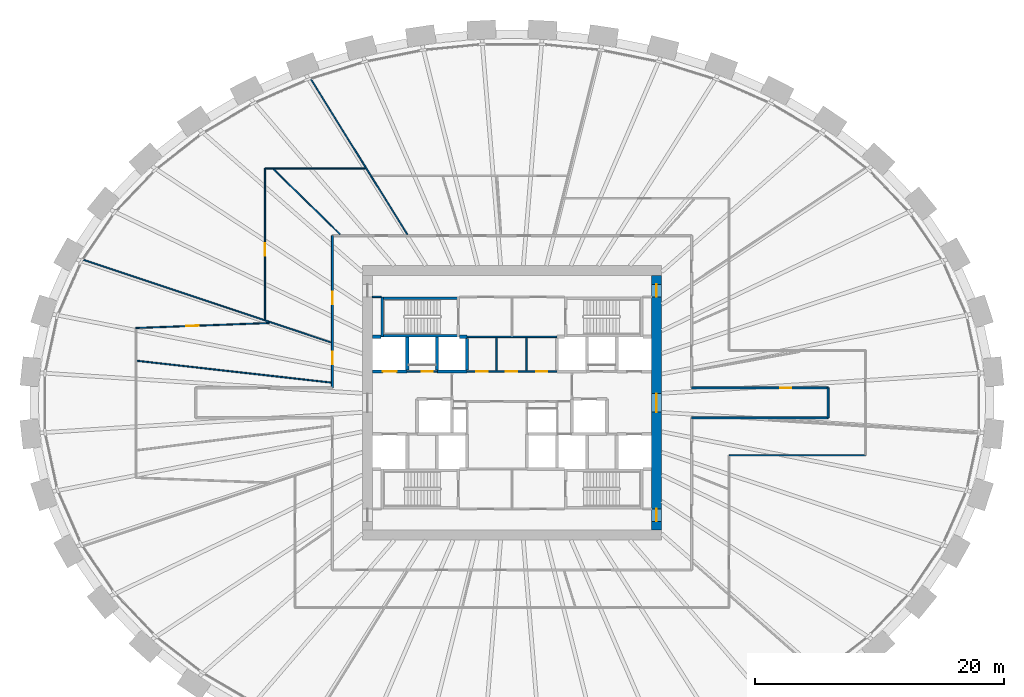
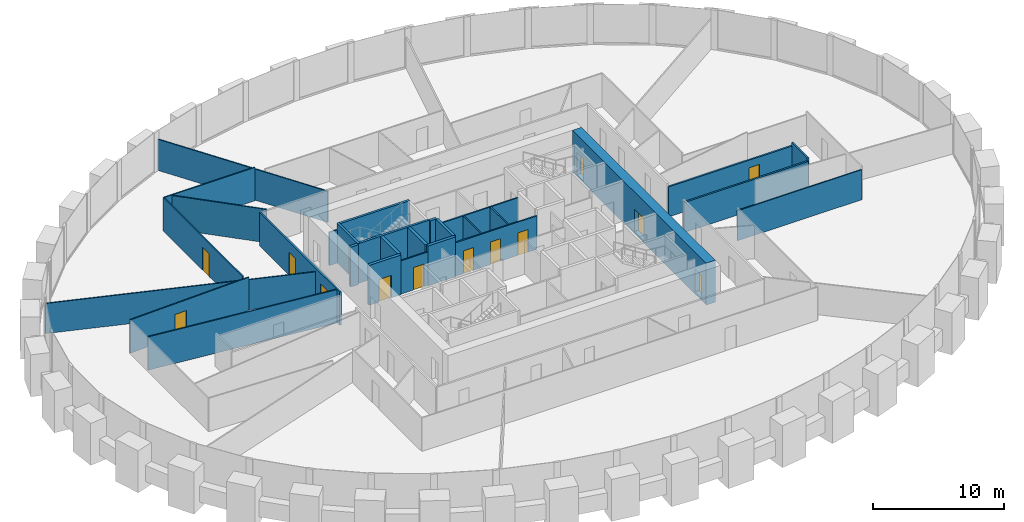
# One storey, part 8 of 11: 29 walls, 13 doors, 13 openings.
"""IFC4 building model written with IfcOpenShell, lengths in metres."""

from ifc_helpers import new_model, si_unit, direction, frame, frame_2d, origin, place, context, subcontext, project, spatial, rectangle, extrude, source, transform, mapped, material, layer, layer_set, type_object, element, fill, save


model = new_model("IFC4")

# Units and contexts
model_context = context("Model", 3, precision=1e-05, world=origin(), true_north=direction((0.0, 1.0)))
body_context = subcontext(model_context, "Body", "Model", "MODEL_VIEW")
ifc_project = project(units=[si_unit("LENGTHUNIT", "METRE"), si_unit("AREAUNIT", "SQUARE_METRE"), si_unit("VOLUMEUNIT", "CUBIC_METRE"), si_unit("PLANEANGLEUNIT", "RADIAN"), si_unit("MASSUNIT", "GRAM", prefix="KILO")], contexts=[model_context])

# Site, building, storey
site_placement = place(None, origin())
site = spatial("IfcSite", under=ifc_project, at=site_placement, CompositionType="ELEMENT")
building_placement = place(site_placement, origin())
building = spatial("IfcBuilding", under=site, at=building_placement, Name="Embergate Tower", CompositionType="ELEMENT")
storey_placement = place(building_placement, frame((0.0, 0.0, 139.800048828125)))
storey = spatial("IfcBuildingStorey", under=building, at=storey_placement, Name="L30", CompositionType="ELEMENT", Elevation=139.800048828125)

# Wall, openings, doors
ifc_material_1 = material(Name="Concrete C70", Category="concrete")
ifc_layer_1 = layer(ifc_material_1, 0.800048828125)
ifc_layer_set_1 = layer_set([ifc_layer_1], Name="Concrete C70")
wall_type_1 = type_object("IfcWallType", Name="Core outer wall C70 800", PredefinedType="SHEAR", material=ifc_layer_set_1)
shared_shape_1 = source(origin(), body_context, "Body", "SweptSolid", [
    extrude(rectangle(XDim=20.39990234375, YDim=0.800048828125, at=frame_2d((10.199951171875, 0.0))), origin(), (0.0, 0.0, 1.0), 3.89990234375),
])
wall_1_placement = place(storey_placement, frame((11.60009765625, -10.199951171875, -0.199951171875), z_axis=(0.0, 0.0, 1.0), x_axis=(0.0, 1.0, 0.0)))
wall_1 = element("IfcWall", 1, at=wall_1_placement, inside=storey, type_object=wall_type_1, Name="CW-L30-E", PredefinedType="SHEAR", context=body_context, shape_type="MappedRepresentation", body=[
    mapped(shared_shape_1, transform((0.0, 0.0, 0.0))),
])
shared_shape_2 = source(origin(), body_context, "Body", "SweptSolid", [
    extrude(rectangle(XDim=1.0, YDim=2.10009765625, at=frame_2d((0.5, 1.050048828125))), frame((0.0, 0.409912109375, 0.0), z_axis=(0.0, -1.0, 0.0), x_axis=(1.0, 0.0, 0.0)), (0.0, 0.0, 1.0), 0.820068359375),
])
opening_1_placement = place(wall_1_placement, frame((18.699951171875, 0.0, 0.199951171875)))
opening_1 = element("IfcOpeningElement", 2, at=opening_1_placement, cuts=wall_1, Name="Opening IF-1d", PredefinedType="OPENING", context=body_context, shape_type="MappedRepresentation", body=[
    mapped(shared_shape_2, transform((0.0, 0.0, 0.0))),
])
opening_2_placement = place(wall_1_placement, frame((0.699951171875, 0.0, 0.199951171875)))
opening_2 = element("IfcOpeningElement", 3, at=opening_2_placement, cuts=wall_1, Name="Opening IF-1d", PredefinedType="OPENING", context=body_context, shape_type="MappedRepresentation", body=[
    mapped(shared_shape_2, transform((0.0, 0.0, 0.0))),
])
shared_shape_3 = source(origin(), body_context, "Body", "SweptSolid", [
    extrude(rectangle(XDim=1.5, YDim=2.10009765625, at=frame_2d((0.75, 1.050048828125))), frame((0.0, 0.409912109375, 0.0), z_axis=(0.0, -1.0, 0.0), x_axis=(1.0, 0.0, 0.0)), (0.0, 0.0, 1.0), 0.820068359375),
])
opening_3_placement = place(wall_1_placement, frame((9.449951171875, 0.0, 0.199951171875)))
opening_3 = element("IfcOpeningElement", 4, at=opening_3_placement, cuts=wall_1, Name="Opening IF-3", PredefinedType="OPENING", context=body_context, shape_type="MappedRepresentation", body=[
    mapped(shared_shape_3, transform((0.0, 0.0, 0.0))),
])
ifc_material_2 = material(Name="Lobby fire door pair 1500")
door_type_1 = type_object("IfcDoorType", Name="Lobby fire door pair 1500", OperationType="DOUBLE_DOOR_SINGLE_SWING", PredefinedType="DOOR", material=ifc_material_2)
shared_shape_4 = source(origin(), body_context, "Body", "SweptSolid", [
    extrude(rectangle(XDim=1.5, YDim=2.10009765625, at=frame_2d((0.75, 1.050048828125))), frame((0.0, 0.02490234375, 0.0), z_axis=(0.0, -1.0, 0.0), x_axis=(1.0, 0.0, 0.0)), (0.0, 0.0, 1.0), 0.050048828125),
])
door_1_placement = place(opening_3_placement, origin())
door_1 = element("IfcDoor", 5, at=door_1_placement, inside=storey, type_object=door_type_1, Name="IF-3 door", OperationType="DOUBLE_DOOR_SINGLE_SWING", OverallHeight=2.10009765625, OverallWidth=1.5, PredefinedType="DOOR", context=body_context, shape_type="MappedRepresentation", body=[
    mapped(shared_shape_4, transform((0.0, 0.0, 0.0))),
])
fill(opening_3, door_1)
ifc_material_3 = material(Name="Escape fire door 1000")
door_type_2 = type_object("IfcDoorType", Name="Escape fire door 1000", OperationType="SINGLE_SWING_LEFT", PredefinedType="DOOR", material=ifc_material_3)
shared_shape_5 = source(origin(), body_context, "Body", "SweptSolid", [
    extrude(rectangle(XDim=1.0, YDim=2.10009765625, at=frame_2d((0.5, 1.050048828125))), frame((0.0, 0.02490234375, 0.0), z_axis=(0.0, -1.0, 0.0), x_axis=(1.0, 0.0, 0.0)), (0.0, 0.0, 1.0), 0.050048828125),
])
door_2_placement = place(opening_1_placement, origin())
door_2 = element("IfcDoor", 6, at=door_2_placement, inside=storey, type_object=door_type_2, Name="IF-1 door", OperationType="SINGLE_SWING_RIGHT", OverallHeight=2.10009765625, OverallWidth=1.0, PredefinedType="DOOR", context=body_context, shape_type="MappedRepresentation", body=[
    mapped(shared_shape_5, transform((0.0, 0.0, 0.0))),
])
fill(opening_1, door_2)
door_3_placement = place(opening_2_placement, origin())
door_3 = element("IfcDoor", 7, at=door_3_placement, inside=storey, type_object=door_type_2, Name="IF-1 door", OperationType="SINGLE_SWING_RIGHT", OverallHeight=2.10009765625, OverallWidth=1.0, PredefinedType="DOOR", context=body_context, shape_type="MappedRepresentation", body=[
    mapped(shared_shape_5, transform((0.0, 0.0, 0.0))),
])
fill(opening_2, door_3)

# Walls
ifc_material_4 = material(Name="Concrete C50", Category="concrete")
ifc_layer_2 = layer(ifc_material_4, 0.25)
ifc_layer_set_2 = layer_set([ifc_layer_2], Name="Concrete C50")
wall_type_2 = type_object("IfcWallType", Name="Hoistway wall reinforced concrete 250", PredefinedType="SHEAR", material=ifc_layer_set_2)
shared_shape_6 = source(origin(), body_context, "Body", "SweptSolid", [
    extrude(rectangle(XDim=2.675048828125, YDim=0.25, at=frame_2d((1.33740234375, 0.0))), origin(), (0.0, 0.0, 1.0), 3.699951171875),
])
for number, where, z_axis, x_axis, name in (
    (8, (-8.39990234375, 2.625, 0.0), (0.0, 0.0, 1.0), (0.0, 1.0, 0.0), "HW-1 wall"),
    (9, (-6.0, 2.625, 0.0), (0.0, 0.0, 1.0), (0.0, 1.0, 0.0), "HW-1 wall"),
):
    element("IfcWall", number, at=place(storey_placement, frame(where, z_axis=z_axis, x_axis=x_axis)), inside=storey, type_object=wall_type_2, Name=name, PredefinedType="SHEAR", context=body_context, shape_type="MappedRepresentation", body=[
        mapped(shared_shape_6, transform((0.0, 0.0, 0.0))),
    ])
ifc_layer_3 = layer(ifc_material_4, 0.199951171875)
ifc_layer_set_3 = layer_set([ifc_layer_3], Name="Concrete C50")
wall_type_3 = type_object("IfcWallType", Name="Stair enclosure wall reinforced concrete 250", PredefinedType="SHEAR", material=ifc_layer_set_3)
shared_shape_7 = source(origin(), body_context, "Body", "SweptSolid", [
    extrude(rectangle(XDim=6.300048828125, YDim=0.199951171875, at=frame_2d((3.14990234375, 0.0))), origin(), (0.0, 0.0, 1.0), 3.699951171875),
])
for number, where, z_axis, x_axis, name in (
    (10, (-4.199951171875, 5.39990234375, 0.0), (0.0, 0.0, 1.0), (-1.0, 0.0, 0.0), "SE-1 wall"),
    (11, (-4.199951171875, 8.39990234375, 0.0), (0.0, 0.0, 1.0), (-1.0, 0.0, 0.0), "SE-1 wall"),
):
    element("IfcWall", number, at=place(storey_placement, frame(where, z_axis=z_axis, x_axis=x_axis)), inside=storey, type_object=wall_type_3, Name=name, PredefinedType="SHEAR", context=body_context, shape_type="MappedRepresentation", body=[
        mapped(shared_shape_7, transform((0.0, 0.0, 0.0))),
    ])
shared_shape_8 = source(origin(), body_context, "Body", "SweptSolid", [
    extrude(rectangle(XDim=2.550048828125, YDim=0.25, at=frame_2d((1.27490234375, 0.0))), origin(), (0.0, 0.0, 1.0), 3.699951171875),
])
wall_2_placement = place(storey_placement, frame((-3.60009765625, 2.625, 0.0), z_axis=(0.0, 0.0, 1.0), x_axis=(0.0, 1.0, 0.0)))
element("IfcWall", 12, at=wall_2_placement, inside=storey, type_object=wall_type_2, Name="HW-1 wall", PredefinedType="SHEAR", context=body_context, shape_type="MappedRepresentation", body=[
    mapped(shared_shape_8, transform((0.0, 0.0, 0.0))),
])
shared_shape_9 = source(origin(), body_context, "Body", "SweptSolid", [
    extrude(rectangle(XDim=2.39990234375, YDim=0.25, at=frame_2d((1.199951171875, 0.0))), origin(), (0.0, 0.0, 1.0), 3.699951171875),
])
wall_3_placement = place(storey_placement, frame((-6.0, 2.5, 0.0), z_axis=(0.0, 0.0, 1.0), x_axis=(1.0, 0.0, 0.0)))
element("IfcWall", 13, at=wall_3_placement, inside=storey, type_object=wall_type_2, Name="HW-1 wall", PredefinedType="SHEAR", context=body_context, shape_type="MappedRepresentation", body=[
    mapped(shared_shape_9, transform((0.0, 0.0, 0.0))),
])
ifc_material_5 = material(Name="Core partition blockwork 120")
ifc_layer_4 = layer(ifc_material_5, 0.1201171875)
ifc_layer_set_4 = layer_set([ifc_layer_4], Name="Core partition blockwork 120")
wall_type_4 = type_object("IfcWallType", Name="Core partition blockwork 120", PredefinedType="PARTITIONING", material=ifc_layer_set_4)
shared_shape_10 = source(origin(), body_context, "Body", "SweptSolid", [
    extrude(rectangle(XDim=2.679931640625, YDim=0.1201171875, at=frame_2d((1.33984375, 0.0))), origin(), (0.0, 0.0, 1.0), 3.099853515625),
])
for number, where, z_axis, x_axis, name in (
    (14, (-1.22412109375, 2.56005859375, 0.0), (0.0, 0.0, 1.0), (0.0, 1.0, 0.0), "IP-3 wall"),
    (15, (1.152099609375, 2.56005859375, 0.0), (0.0, 0.0, 1.0), (0.0, 1.0, 0.0), "IP-3 wall"),
):
    element("IfcWall", number, at=place(storey_placement, frame(where, z_axis=z_axis, x_axis=x_axis)), inside=storey, type_object=wall_type_4, Name=name, PredefinedType="PARTITIONING", context=body_context, shape_type="MappedRepresentation", body=[
        mapped(shared_shape_10, transform((0.0, 0.0, 0.0))),
    ])

# Wall, opening, door
shared_shape_11 = source(origin(), body_context, "Body", "SweptSolid", [
    extrude(rectangle(XDim=2.800048828125, YDim=0.25, at=frame_2d((1.39990234375, 0.0))), origin(), (0.0, 0.0, 1.0), 3.699951171875),
])
wall_4_placement = place(storey_placement, frame((-11.199951171875, 2.5, 0.0), z_axis=(0.0, 0.0, 1.0), x_axis=(1.0, 0.0, 0.0)))
wall_4 = element("IfcWall", 16, at=wall_4_placement, inside=storey, type_object=wall_type_2, Name="HW-1 wall", PredefinedType="SHEAR", context=body_context, shape_type="MappedRepresentation", body=[
    mapped(shared_shape_11, transform((0.0, 0.0, 0.0))),
])
shared_shape_12 = source(origin(), body_context, "Body", "SweptSolid", [
    extrude(rectangle(XDim=1.10009765625, YDim=2.10009765625, at=frame_2d((0.550048828125, 1.050048828125))), frame((0.0, 0.135009765625, 0.0), z_axis=(0.0, -1.0, 0.0), x_axis=(1.0, 0.0, 0.0)), (0.0, 0.0, 1.0), 0.27001953125),
])
opening_4_placement = place(wall_4_placement, frame((0.85009765625, 0.0, 0.0)))
opening_4 = element("IfcOpeningElement", 17, at=opening_4_placement, cuts=wall_4, Name="Opening LD", PredefinedType="OPENING", context=body_context, shape_type="MappedRepresentation", body=[
    mapped(shared_shape_12, transform((0.0, 0.0, 0.0))),
])
ifc_material_6 = material(Name="Landing door sliding 1100")
door_type_3 = type_object("IfcDoorType", Name="Landing door sliding 1100", OperationType="SLIDING_TO_LEFT", PredefinedType="DOOR", material=ifc_material_6)
shared_shape_13 = source(origin(), body_context, "Body", "SweptSolid", [
    extrude(rectangle(XDim=1.10009765625, YDim=2.10009765625, at=frame_2d((0.550048828125, 1.050048828125))), frame((0.0, 0.02490234375, 0.0), z_axis=(0.0, -1.0, 0.0), x_axis=(1.0, 0.0, 0.0)), (0.0, 0.0, 1.0), 0.050048828125),
])
door_4_placement = place(opening_4_placement, origin())
door_4 = element("IfcDoor", 18, at=door_4_placement, inside=storey, type_object=door_type_3, Name="LD door", OperationType="SLIDING_TO_LEFT", OverallHeight=2.10009765625, OverallWidth=1.10009765625, PredefinedType="DOOR", context=body_context, shape_type="MappedRepresentation", body=[
    mapped(shared_shape_13, transform((0.0, 0.0, 0.0))),
])
fill(opening_4, door_4)

# Walls
shared_shape_14 = source(origin(), body_context, "Body", "SweptSolid", [
    extrude(rectangle(XDim=0.599853515625, YDim=0.25, at=frame_2d((0.2998046875, 0.0))), origin(), (0.0, 0.0, 1.0), 3.699951171875),
])
wall_5_placement = place(storey_placement, frame((-3.60009765625, 5.300048828125, 0.0), z_axis=(0.0, 0.0, 1.0), x_axis=(-1.0, 0.0, 0.0)))
element("IfcWall", 19, at=wall_5_placement, inside=storey, type_object=wall_type_2, Name="HW-1 wall", PredefinedType="SHEAR", context=body_context, shape_type="MappedRepresentation", body=[
    mapped(shared_shape_14, transform((0.0, 0.0, 0.0))),
])
shared_shape_15 = source(origin(), body_context, "Body", "SweptSolid", [
    extrude(rectangle(XDim=3.196044921875, YDim=0.199951171875, at=frame_2d((1.59814453125, 0.0))), origin(), (0.0, 0.0, 1.0), 3.699951171875),
])
wall_6_placement = place(storey_placement, frame((-10.39990234375, 8.498046875, 0.0), z_axis=(0.0, 0.0, 1.0), x_axis=(0.0, -1.0, 0.0)))
element("IfcWall", 20, at=wall_6_placement, inside=storey, type_object=wall_type_3, Name="SE-1 wall", PredefinedType="SHEAR", context=body_context, shape_type="MappedRepresentation", body=[
    mapped(shared_shape_15, transform((0.0, 0.0, 0.0))),
])
shared_shape_16 = source(origin(), body_context, "Body", "SweptSolid", [
    extrude(rectangle(XDim=0.697998046875, YDim=0.25, at=frame_2d((0.34912109375, 0.0))), origin(), (0.0, 0.0, 1.0), 3.699951171875),
])
wall_7_placement = place(storey_placement, frame((-10.501953125, 5.300048828125, 0.0), z_axis=(0.0, 0.0, 1.0), x_axis=(-1.0, 0.0, 0.0)))
element("IfcWall", 21, at=wall_7_placement, inside=storey, type_object=wall_type_2, Name="HW-1 wall", PredefinedType="SHEAR", context=body_context, shape_type="MappedRepresentation", body=[
    mapped(shared_shape_16, transform((0.0, 0.0, 0.0))),
])

# Wall, openings, doors
ifc_material_7 = material(Name="Corridor wall dry-lined 150")
ifc_layer_5 = layer(ifc_material_7, 0.14990234375)
ifc_layer_set_5 = layer_set([ifc_layer_5], Name="Corridor wall dry-lined 150")
wall_type_5 = type_object("IfcWallType", Name="Corridor wall dry-lined 150", PredefinedType="PARTITIONING", material=ifc_layer_set_5)
shared_shape_17 = source(origin(), body_context, "Body", "SweptSolid", [
    extrude(rectangle(XDim=12.199951171875, YDim=0.14990234375, at=frame_2d((6.10009765625, 0.0))), origin(), (0.0, 0.0, 1.0), 3.099853515625),
])
wall_8_placement = place(storey_placement, frame((-14.39990234375, 1.199951171875, 0.0), z_axis=(0.0, 0.0, 1.0), x_axis=(0.0, 1.0, 0.0)))
wall_8 = element("IfcWall", 22, at=wall_8_placement, inside=storey, type_object=wall_type_5, Name="IP-2 wall", PredefinedType="PARTITIONING", context=body_context, shape_type="MappedRepresentation", body=[
    mapped(shared_shape_17, transform((0.0, 0.0, 0.0))),
])
shared_shape_18 = source(origin(), body_context, "Body", "SweptSolid", [
    extrude(rectangle(XDim=1.0, YDim=2.10009765625, at=frame_2d((0.5, 1.050048828125))), frame((0.0, 0.0849609375, 0.0), z_axis=(0.0, -1.0, 0.0), x_axis=(1.0, 0.0, 0.0)), (0.0, 0.0, 1.0), 0.169921875),
])
opening_5_placement = place(wall_8_placement, frame((6.7060546875, 0.0, 0.0)))
opening_5 = element("IfcOpeningElement", 23, at=opening_5_placement, cuts=wall_8, Name="Opening ID-2", PredefinedType="OPENING", context=body_context, shape_type="MappedRepresentation", body=[
    mapped(shared_shape_18, transform((0.0, 0.0, 0.0))),
])
opening_6_placement = place(wall_8_placement, frame((1.89501953125, 0.0, 0.0)))
opening_6 = element("IfcOpeningElement", 24, at=opening_6_placement, cuts=wall_8, Name="Opening ID-2", PredefinedType="OPENING", context=body_context, shape_type="MappedRepresentation", body=[
    mapped(shared_shape_18, transform((0.0, 0.0, 0.0))),
])
ifc_material_8 = material(Name="Interior door 1000")
door_type_4 = type_object("IfcDoorType", Name="Interior door 1000", OperationType="SINGLE_SWING_LEFT", PredefinedType="DOOR", material=ifc_material_8)
door_5_placement = place(opening_5_placement, origin())
door_5 = element("IfcDoor", 25, at=door_5_placement, inside=storey, type_object=door_type_4, Name="ID-2 door", OperationType="SINGLE_SWING_LEFT", OverallHeight=2.10009765625, OverallWidth=1.0, PredefinedType="DOOR", context=body_context, shape_type="MappedRepresentation", body=[
    mapped(shared_shape_5, transform((0.0, 0.0, 0.0))),
])
fill(opening_5, door_5)
door_6_placement = place(opening_6_placement, origin())
door_6 = element("IfcDoor", 26, at=door_6_placement, inside=storey, type_object=door_type_4, Name="ID-2 door", OperationType="SINGLE_SWING_RIGHT", OverallHeight=2.10009765625, OverallWidth=1.0, PredefinedType="DOOR", context=body_context, shape_type="MappedRepresentation", body=[
    mapped(shared_shape_5, transform((0.0, 0.0, 0.0))),
])
fill(opening_6, door_6)

# Wall
shared_shape_19 = source(origin(), body_context, "Body", "SweptSolid", [
    extrude(rectangle(XDim=10.9501953125, YDim=0.14990234375, at=frame_2d((5.47509765625, 0.0))), origin(), (0.0, 0.0, 1.0), 2.800048828125),
])
wall_9_placement = place(storey_placement, frame((14.39990234375, -1.199951171875, 0.0), z_axis=(0.0, 0.0, 1.0), x_axis=(1.0, 0.0, 0.0)))
element("IfcWall", 27, at=wall_9_placement, inside=storey, type_object=wall_type_5, Name="IP-2 wall", PredefinedType="PARTITIONING", context=body_context, shape_type="MappedRepresentation", body=[
    mapped(shared_shape_19, transform((0.0, 0.0, 0.0))),
])

# Wall, opening, door
ifc_material_9 = material(Name="Corridor wall dry-lined 150 wet")
ifc_layer_6 = layer(ifc_material_9, 0.14990234375)
ifc_layer_set_6 = layer_set([ifc_layer_6], Name="Corridor wall dry-lined 150 wet")
wall_type_6 = type_object("IfcWallType", Name="Corridor wall dry-lined 150 wet", PredefinedType="PLUMBINGWALL", material=ifc_layer_set_6)
wall_10_placement = place(storey_placement, frame((25.35009765625, 1.199951171875, 0.0), z_axis=(0.0, 0.0, 1.0), x_axis=(-1.0, 0.0, 0.0)))
wall_10 = element("IfcWall", 28, at=wall_10_placement, inside=storey, type_object=wall_type_6, Name="IP-2 wall", PredefinedType="PLUMBINGWALL", context=body_context, shape_type="MappedRepresentation", body=[
    mapped(shared_shape_19, transform((0.0, 0.0, 0.0))),
])
shared_shape_20 = source(origin(), body_context, "Body", "SweptSolid", [
    extrude(rectangle(XDim=0.89990234375, YDim=2.10009765625, at=frame_2d((0.449951171875, 1.050048828125))), frame((0.0, 0.0849609375, 0.0), z_axis=(0.0, -1.0, 0.0), x_axis=(1.0, 0.0, 0.0)), (0.0, 0.0, 1.0), 0.169921875),
])
opening_7_placement = place(wall_10_placement, frame((2.946044921875, 0.0, 0.0)))
opening_7 = element("IfcOpeningElement", 29, at=opening_7_placement, cuts=wall_10, Name="Opening IF-1c", PredefinedType="OPENING", context=body_context, shape_type="MappedRepresentation", body=[
    mapped(shared_shape_20, transform((0.0, 0.0, 0.0))),
])
ifc_material_10 = material(Name="Escape fire door 900")
door_type_5 = type_object("IfcDoorType", Name="Escape fire door 900", OperationType="SINGLE_SWING_LEFT", PredefinedType="DOOR", material=ifc_material_10)
shared_shape_21 = source(origin(), body_context, "Body", "SweptSolid", [
    extrude(rectangle(XDim=0.89990234375, YDim=2.10009765625, at=frame_2d((0.449951171875, 1.050048828125))), frame((0.0, 0.02490234375, 0.0), z_axis=(0.0, -1.0, 0.0), x_axis=(1.0, 0.0, 0.0)), (0.0, 0.0, 1.0), 0.050048828125),
])
door_7_placement = place(opening_7_placement, origin())
door_7 = element("IfcDoor", 30, at=door_7_placement, inside=storey, type_object=door_type_5, Name="IF-1 door", OperationType="SINGLE_SWING_RIGHT", OverallHeight=2.10009765625, OverallWidth=0.89990234375, PredefinedType="DOOR", context=body_context, shape_type="MappedRepresentation", body=[
    mapped(shared_shape_21, transform((0.0, 0.0, 0.0))),
])
fill(opening_7, door_7)

# Walls
shared_shape_22 = source(origin(), body_context, "Body", "SweptSolid", [
    extrude(rectangle(XDim=2.39990234375, YDim=0.14990234375, at=frame_2d((1.199951171875, 0.0))), origin(), (0.0, 0.0, 1.0), 3.099853515625),
])
wall_11_placement = place(storey_placement, frame((25.35009765625, -1.199951171875, 0.0), z_axis=(0.0, 0.0, 1.0), x_axis=(0.0, 1.0, 0.0)))
element("IfcWall", 31, at=wall_11_placement, inside=storey, type_object=wall_type_6, Name="IP-2 wall", PredefinedType="PLUMBINGWALL", context=body_context, shape_type="MappedRepresentation", body=[
    mapped(shared_shape_22, transform((0.0, 0.0, 0.0))),
])
ifc_material_11 = material(Name="Partition dry-lined 100")
ifc_layer_7 = layer(ifc_material_11, 0.10009765625)
ifc_layer_set_7 = layer_set([ifc_layer_7], Name="Partition dry-lined 100")
wall_type_7 = type_object("IfcWallType", Name="Partition dry-lined 100", PredefinedType="PARTITIONING", material=ifc_layer_set_7)
shared_shape_23 = source(origin(), body_context, "Body", "SweptSolid", [
    extrude(rectangle(XDim=21.021484375, YDim=0.10009765625, at=frame_2d((10.5107421875, 0.0))), origin(), (0.0, 0.0, 1.0), 2.800048828125),
])
wall_12_placement = place(storey_placement, frame((-34.429931640625, 11.4990234375, 0.0), z_axis=(0.0, 0.0, 1.0), x_axis=(0.948503129664, -0.316767758805, 0.0)))
element("IfcWall", 32, at=wall_12_placement, inside=storey, type_object=wall_type_7, Name="IP-1 wall", PredefinedType="PARTITIONING", context=body_context, shape_type="MappedRepresentation", body=[
    mapped(shared_shape_23, transform((0.0, 0.0, 0.0))),
])
shared_shape_24 = source(origin(), body_context, "Body", "SweptSolid", [
    extrude(rectangle(XDim=14.712158203125, YDim=0.10009765625, at=frame_2d((7.35595703125, 0.0))), origin(), (0.0, 0.0, 1.0), 2.89990234375),
])
wall_13_placement = place(storey_placement, frame((-16.154052734375, 25.9970703125, 0.0), z_axis=(0.0, 0.0, 1.0), x_axis=(0.527801481892, -0.849367762346, 0.0)))
element("IfcWall", 33, at=wall_13_placement, inside=storey, type_object=wall_type_7, Name="IP-1 wall", PredefinedType="PARTITIONING", context=body_context, shape_type="MappedRepresentation", body=[
    mapped(shared_shape_24, transform((0.0, 0.0, 0.0))),
])
shared_shape_25 = source(origin(), body_context, "Body", "SweptSolid", [
    extrude(rectangle(XDim=10.9501953125, YDim=0.10009765625, at=frame_2d((5.47509765625, 0.0))), origin(), (0.0, 0.0, 1.0), 2.800048828125),
])
wall_14_placement = place(storey_placement, frame((28.35009765625, -4.199951171875, 0.0), z_axis=(0.0, 0.0, 1.0), x_axis=(-1.0, 0.0, 0.0)))
element("IfcWall", 34, at=wall_14_placement, inside=storey, type_object=wall_type_7, Name="IP-1 wall", PredefinedType="PARTITIONING", context=body_context, shape_type="MappedRepresentation", body=[
    mapped(shared_shape_25, transform((0.0, 0.0, 0.0))),
])
shared_shape_26 = source(origin(), body_context, "Body", "SweptSolid", [
    extrude(rectangle(XDim=7.43505859375, YDim=0.10009765625, at=frame_2d((3.717529296875, 0.0))), origin(), (0.0, 0.0, 1.0), 3.099853515625),
])
wall_15_placement = place(storey_placement, frame((-13.7880859375, 13.510986328125, 0.0), z_axis=(0.0, 0.0, 1.0), x_axis=(-0.714326421036, 0.699812663654, 0.0)))
element("IfcWall", 35, at=wall_15_placement, inside=storey, type_object=wall_type_7, Name="IP-1 wall", PredefinedType="PARTITIONING", context=body_context, shape_type="MappedRepresentation", body=[
    mapped(shared_shape_26, transform((0.0, 0.0, 0.0))),
])
shared_shape_27 = source(origin(), body_context, "Body", "SweptSolid", [
    extrude(rectangle(XDim=8.028076171875, YDim=0.10009765625, at=frame_2d((4.01416015625, 0.0))), origin(), (0.0, 0.0, 1.0), 3.099853515625),
])
wall_16_placement = place(storey_placement, frame((-11.77197265625, 18.800048828125, 0.0), z_axis=(0.0, 0.0, 1.0), x_axis=(-1.0, 0.0, 0.0)))
element("IfcWall", 36, at=wall_16_placement, inside=storey, type_object=wall_type_7, Name="IP-1 wall", PredefinedType="PARTITIONING", context=body_context, shape_type="MappedRepresentation", body=[
    mapped(shared_shape_27, transform((0.0, 0.0, 0.0))),
])

# Wall, opening, door
shared_shape_28 = source(origin(), body_context, "Body", "SweptSolid", [
    extrude(rectangle(XDim=12.1181640625, YDim=0.10009765625, at=frame_2d((6.05908203125, 0.0))), origin(), (0.0, 0.0, 1.0), 3.099853515625),
])
wall_17_placement = place(storey_placement, frame((-19.800048828125, 6.681884765625, 0.0), z_axis=(0.0, 0.0, 1.0), x_axis=(0.0, 1.0, 0.0)))
wall_17 = element("IfcWall", 37, at=wall_17_placement, inside=storey, type_object=wall_type_7, Name="IP-1 wall", PredefinedType="PARTITIONING", context=body_context, shape_type="MappedRepresentation", body=[
    mapped(shared_shape_28, transform((0.0, 0.0, 0.0))),
])
shared_shape_29 = source(origin(), body_context, "Body", "SweptSolid", [
    extrude(rectangle(XDim=1.0, YDim=2.10009765625, at=frame_2d((0.5, 1.050048828125))), frame((0.0, 0.06005859375, 0.0), z_axis=(0.0, -1.0, 0.0), x_axis=(1.0, 0.0, 0.0)), (0.0, 0.0, 1.0), 0.1201171875),
])
opening_8_placement = place(wall_17_placement, frame((5.100830078125, 0.0, 0.0)))
opening_8 = element("IfcOpeningElement", 38, at=opening_8_placement, cuts=wall_17, Name="Opening ID-2", PredefinedType="OPENING", context=body_context, shape_type="MappedRepresentation", body=[
    mapped(shared_shape_29, transform((0.0, 0.0, 0.0))),
])
door_8_placement = place(opening_8_placement, origin())
door_8 = element("IfcDoor", 39, at=door_8_placement, inside=storey, type_object=door_type_4, Name="ID-2 door", OperationType="SINGLE_SWING_LEFT", OverallHeight=2.10009765625, OverallWidth=1.0, PredefinedType="DOOR", context=body_context, shape_type="MappedRepresentation", body=[
    mapped(shared_shape_5, transform((0.0, 0.0, 0.0))),
])
fill(opening_8, door_8)

# Wall
shared_shape_30 = source(origin(), body_context, "Body", "SweptSolid", [
    extrude(rectangle(XDim=15.710693359375, YDim=0.10009765625, at=frame_2d((7.85546875, 0.0))), origin(), (0.0, 0.0, 1.0), 3.099853515625),
])
wall_18_placement = place(storey_placement, frame((-14.48095703125, 1.6240234375, 0.0), z_axis=(0.0, 0.0, 1.0), x_axis=(-0.993776960065, 0.111388301195, 0.0)))
element("IfcWall", 40, at=wall_18_placement, inside=storey, type_object=wall_type_7, Name="IP-1 wall", PredefinedType="PARTITIONING", context=body_context, shape_type="MappedRepresentation", body=[
    mapped(shared_shape_30, transform((0.0, 0.0, 0.0))),
])

# Wall, opening, door
shared_shape_31 = source(origin(), body_context, "Body", "SweptSolid", [
    extrude(rectangle(XDim=10.682373046875, YDim=0.10009765625, at=frame_2d((5.34130859375, 0.0))), origin(), (0.0, 0.0, 1.0), 3.099853515625),
])
wall_19_placement = place(storey_placement, frame((-30.14990234375, 6.0, 0.0), z_axis=(0.0, 0.0, 1.0), x_axis=(0.999291311197, 0.037641404939, 0.0)))
wall_19 = element("IfcWall", 41, at=wall_19_placement, inside=storey, type_object=wall_type_7, Name="IP-1 wall", PredefinedType="PARTITIONING", context=body_context, shape_type="MappedRepresentation", body=[
    mapped(shared_shape_31, transform((0.0, 0.0, 0.0))),
])
opening_9_placement = place(wall_19_placement, frame((4.036865234375, 0.0, 0.0)))
opening_9 = element("IfcOpeningElement", 42, at=opening_9_placement, cuts=wall_19, Name="Opening ID-2", PredefinedType="OPENING", context=body_context, shape_type="MappedRepresentation", body=[
    mapped(shared_shape_29, transform((0.0, 0.0, 0.0))),
])
door_9_placement = place(opening_9_placement, origin())
door_9 = element("IfcDoor", 43, at=door_9_placement, inside=storey, type_object=door_type_4, Name="ID-2 door", OperationType="SINGLE_SWING_RIGHT", OverallHeight=2.10009765625, OverallWidth=1.0, PredefinedType="DOOR", context=body_context, shape_type="MappedRepresentation", body=[
    mapped(shared_shape_5, transform((0.0, 0.0, 0.0))),
])
fill(opening_9, door_9)

shared_shape_32 = source(origin(), body_context, "Body", "SweptSolid", [
    extrude(rectangle(XDim=2.39990234375, YDim=0.1201171875, at=frame_2d((1.199951171875, 0.0))), origin(), (0.0, 0.0, 1.0), 3.099853515625),
])
wall_20_placement = place(storey_placement, frame((-8.39990234375, 2.5, 0.0), z_axis=(0.0, 0.0, 1.0), x_axis=(1.0, 0.0, 0.0)))
wall_20 = element("IfcWall", 44, at=wall_20_placement, inside=storey, type_object=wall_type_4, Name="IP-3 wall", PredefinedType="PARTITIONING", context=body_context, shape_type="MappedRepresentation", body=[
    mapped(shared_shape_32, transform((0.0, 0.0, 0.0))),
])
shared_shape_33 = source(origin(), body_context, "Body", "SweptSolid", [
    extrude(rectangle(XDim=0.89990234375, YDim=2.10009765625, at=frame_2d((0.449951171875, 1.050048828125))), frame((0.0, 0.070068359375, 0.0), z_axis=(0.0, -1.0, 0.0), x_axis=(1.0, 0.0, 0.0)), (0.0, 0.0, 1.0), 0.14013671875),
])
opening_10_placement = place(wall_20_placement, frame((1.14990234375, 0.0, 0.0)))
opening_10 = element("IfcOpeningElement", 45, at=opening_10_placement, cuts=wall_20, Name="Opening ID-1", PredefinedType="OPENING", context=body_context, shape_type="MappedRepresentation", body=[
    mapped(shared_shape_33, transform((0.0, 0.0, 0.0))),
])
ifc_material_12 = material(Name="Interior door 900")
door_type_6 = type_object("IfcDoorType", Name="Interior door 900", OperationType="SINGLE_SWING_LEFT", PredefinedType="DOOR", material=ifc_material_12)
door_10_placement = place(opening_10_placement, origin())
door_10 = element("IfcDoor", 46, at=door_10_placement, inside=storey, type_object=door_type_6, Name="ID-1 door", OperationType="SINGLE_SWING_RIGHT", OverallHeight=2.10009765625, OverallWidth=0.89990234375, PredefinedType="DOOR", context=body_context, shape_type="MappedRepresentation", body=[
    mapped(shared_shape_21, transform((0.0, 0.0, 0.0))),
])
fill(opening_10, door_10)

# Wall, openings, doors
shared_shape_34 = source(origin(), body_context, "Body", "SweptSolid", [
    extrude(rectangle(XDim=7.2001953125, YDim=0.1201171875, at=frame_2d((3.60009765625, 0.0))), origin(), (0.0, 0.0, 1.0), 3.099853515625),
])
wall_21_placement = place(storey_placement, frame((3.60009765625, 2.5, 0.0), z_axis=(0.0, 0.0, 1.0), x_axis=(-1.0, 0.0, 0.0)))
wall_21 = element("IfcWall", 47, at=wall_21_placement, inside=storey, type_object=wall_type_4, Name="IP-3 wall", PredefinedType="PARTITIONING", context=body_context, shape_type="MappedRepresentation", body=[
    mapped(shared_shape_34, transform((0.0, 0.0, 0.0))),
])
opening_11_placement = place(wall_21_placement, frame((5.56201171875, 0.0, 0.0)))
opening_11 = element("IfcOpeningElement", 48, at=opening_11_placement, cuts=wall_21, Name="Opening ID-1", PredefinedType="OPENING", context=body_context, shape_type="MappedRepresentation", body=[
    mapped(shared_shape_33, transform((0.0, 0.0, 0.0))),
])
opening_12_placement = place(wall_21_placement, frame((3.18603515625, 0.0, 0.0)))
opening_12 = element("IfcOpeningElement", 49, at=opening_12_placement, cuts=wall_21, Name="Opening ID-1", PredefinedType="OPENING", context=body_context, shape_type="MappedRepresentation", body=[
    mapped(shared_shape_33, transform((0.0, 0.0, 0.0))),
])
opening_13_placement = place(wall_21_placement, frame((0.77392578125, 0.0, 0.0)))
opening_13 = element("IfcOpeningElement", 50, at=opening_13_placement, cuts=wall_21, Name="Opening ID-1", PredefinedType="OPENING", context=body_context, shape_type="MappedRepresentation", body=[
    mapped(shared_shape_33, transform((0.0, 0.0, 0.0))),
])
door_11_placement = place(opening_11_placement, origin())
door_11 = element("IfcDoor", 51, at=door_11_placement, inside=storey, type_object=door_type_6, Name="ID-1 door", OperationType="SINGLE_SWING_LEFT", OverallHeight=2.10009765625, OverallWidth=0.89990234375, PredefinedType="DOOR", context=body_context, shape_type="MappedRepresentation", body=[
    mapped(shared_shape_21, transform((0.0, 0.0, 0.0))),
])
fill(opening_11, door_11)
door_12_placement = place(opening_12_placement, origin())
door_12 = element("IfcDoor", 52, at=door_12_placement, inside=storey, type_object=door_type_6, Name="ID-1 door", OperationType="SINGLE_SWING_LEFT", OverallHeight=2.10009765625, OverallWidth=0.89990234375, PredefinedType="DOOR", context=body_context, shape_type="MappedRepresentation", body=[
    mapped(shared_shape_21, transform((0.0, 0.0, 0.0))),
])
fill(opening_12, door_12)
door_13_placement = place(opening_13_placement, origin())
door_13 = element("IfcDoor", 53, at=door_13_placement, inside=storey, type_object=door_type_6, Name="ID-1 door", OperationType="SINGLE_SWING_RIGHT", OverallHeight=2.10009765625, OverallWidth=0.89990234375, PredefinedType="DOOR", context=body_context, shape_type="MappedRepresentation", body=[
    mapped(shared_shape_21, transform((0.0, 0.0, 0.0))),
])
fill(opening_13, door_13)

# Walls
wall_22_placement = place(storey_placement, frame((-3.60009765625, 5.300048828125, 0.0), z_axis=(0.0, 0.0, 1.0), x_axis=(1.0, 0.0, 0.0)))
element("IfcWall", 54, at=wall_22_placement, inside=storey, type_object=wall_type_4, Name="IP-3 wall", PredefinedType="PARTITIONING", context=body_context, shape_type="MappedRepresentation", body=[
    mapped(shared_shape_34, transform((0.0, 0.0, 0.0))),
])
shared_shape_35 = source(origin(), body_context, "Body", "SweptSolid", [
    extrude(rectangle(XDim=0.697998046875, YDim=0.1201171875, at=frame_2d((0.34912109375, 0.0))), origin(), (0.0, 0.0, 1.0), 3.099853515625),
])
wall_23_placement = place(storey_placement, frame((-11.199951171875, 8.5, 0.0), z_axis=(0.0, 0.0, 1.0), x_axis=(1.0, 0.0, 0.0)))
element("IfcWall", 55, at=wall_23_placement, inside=storey, type_object=wall_type_4, Name="IP-3 wall", PredefinedType="PARTITIONING", context=body_context, shape_type="MappedRepresentation", body=[
    mapped(shared_shape_35, transform((0.0, 0.0, 0.0))),
])

save(model, "model.ifc")
